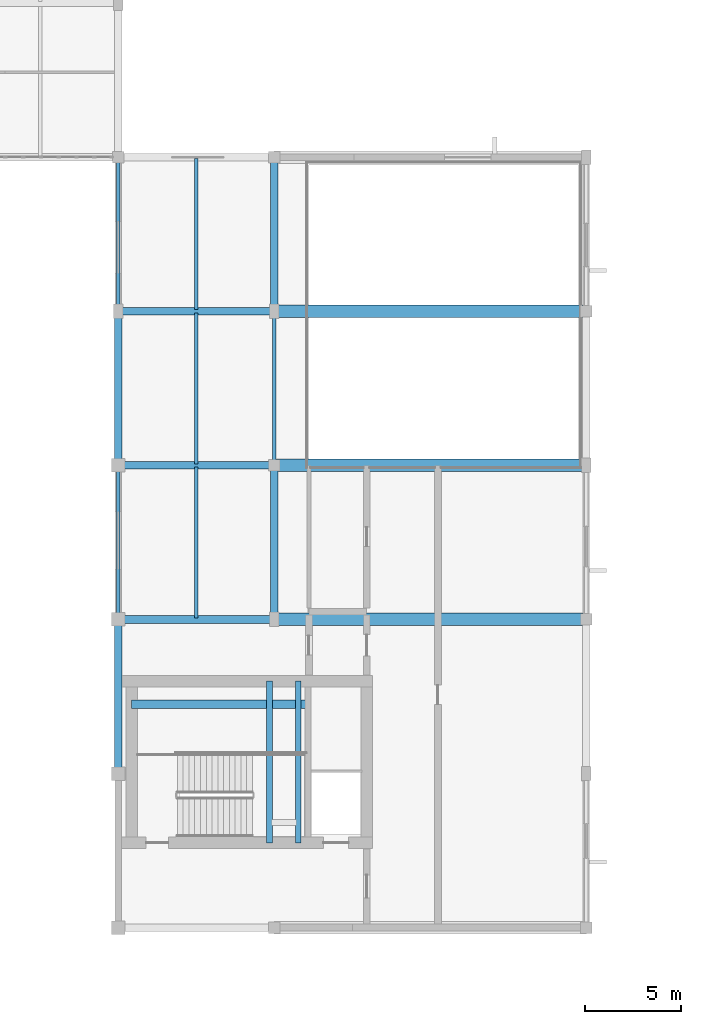
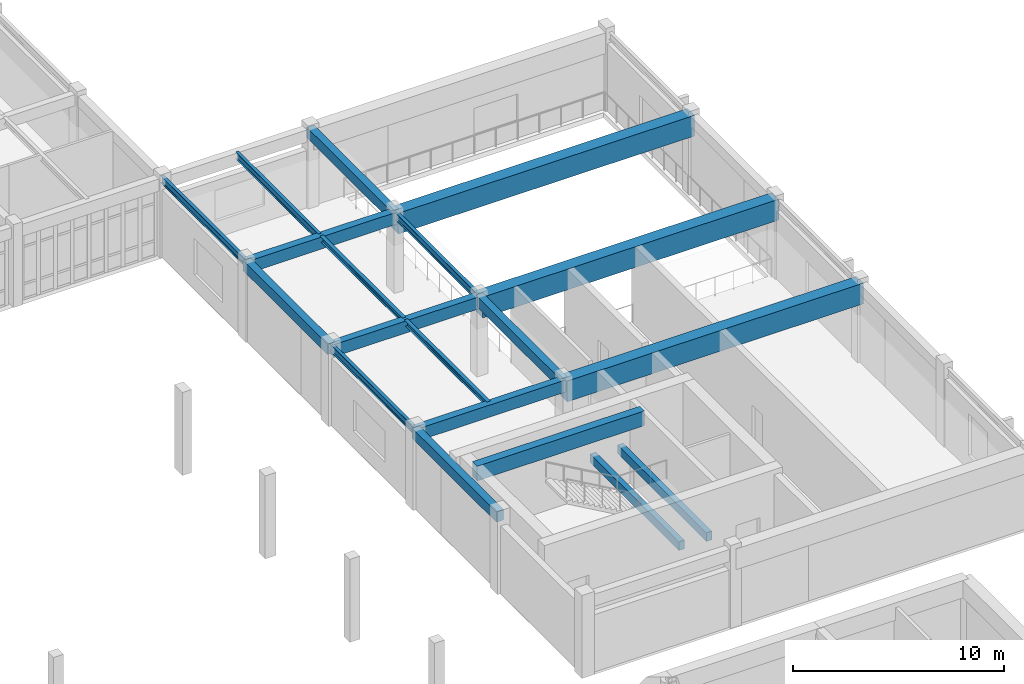
# One storey, part 15 of 61: 19 beams.
"""IFC4 building model written with IfcOpenShell, lengths in metres."""

from ifc_helpers import new_model, si_unit, direction, frame, origin, origin_2d, place, context, subcontext, project, spatial, rectangle, i_section, extrude, material, material_profile, profile_set, type_object, element, save


model = new_model("IFC4")

# Units and contexts
model_context = context("Model", 3, precision=1e-05, world=origin(), true_north=direction((0.0, 1.0)))
body_context = subcontext(model_context, "Body", "Model", "MODEL_VIEW")
ifc_project = project(units=[si_unit("LENGTHUNIT", "METRE"), si_unit("AREAUNIT", "SQUARE_METRE"), si_unit("VOLUMEUNIT", "CUBIC_METRE"), si_unit("PLANEANGLEUNIT", "RADIAN"), si_unit("MASSUNIT", "GRAM", prefix="KILO")], contexts=[model_context])

# Site, building, storey
site_placement = place(None, origin())
site = spatial("IfcSite", under=ifc_project, at=site_placement, CompositionType="ELEMENT")
building_placement = place(site_placement, origin())
building = spatial("IfcBuilding", under=site, at=building_placement, Name="Tarnveldt Square Police Headquarters", CompositionType="ELEMENT")
storey_placement = place(building_placement, frame((0.0, 0.0, 5.39990234375)))
storey = spatial("IfcBuildingStorey", under=building, at=storey_placement, Name="L01", CompositionType="ELEMENT", Elevation=5.39990234375)

# Beams
ifc_material_1 = material(Name="Concrete 50 MPa", Category="concrete")
ifc_material_profile_1 = material_profile(ifc_material_1, rectangle(XDim=0.449951171875, YDim=0.85009765625, at=origin_2d()), Name="RC-CB450x850")
ifc_profile_set_1 = profile_set([ifc_material_profile_1], Name="Concrete 50 MPa")
beam_type_1 = type_object("IfcBeamType", Name="BM-CB450x850", PredefinedType="BEAM", material=ifc_profile_set_1)
beam_1_placement = place(storey_placement, frame((106.0, 67.60009765625, 4.375), z_axis=(1.0, 0.0, 0.0), x_axis=(0.0, 1.0, 0.0)))
element("IfcBeam", 1, at=beam_1_placement, inside=storey, type_object=beam_type_1, Name="Core K4 East Custody and Tactical Core L01 Ductile Coupling Beam", PredefinedType="BEAM", context=body_context, shape_type="SweptSolid", body=[
    extrude(rectangle(XDim=0.449951171875, YDim=0.85009765625, at=origin_2d()), origin(), (0.0, 0.0, 1.0), 9.14990234375),
])
ifc_material_2 = material(Name="Concrete 40 MPa", Category="concrete")
ifc_material_profile_2 = material_profile(ifc_material_2, rectangle(XDim=0.300048828125, YDim=0.5, at=origin_2d()), Name="RC-B300x500")
ifc_profile_set_2 = profile_set([ifc_material_profile_2], Name="Concrete 40 MPa")
beam_type_2 = type_object("IfcBeamType", Name="BM-RC300x500", PredefinedType="BEAM", material=ifc_profile_set_2)
for number, where, z_axis, x_axis, name in (
    (2, (113.14990234375, 60.39990234375, 1.9501953125), (0.0, 1.0, 0.0), (-1.0, 0.0, 0.0), "ST4 L01 Half-Landing Support Beam 1"),
    (3, (114.64990234375, 60.39990234375, 1.9501953125), (0.0, 1.0, 0.0), (-1.0, 0.0, 0.0), "ST4 L01 Half-Landing Transverse Support Beam"),
):
    element("IfcBeam", number, at=place(storey_placement, frame(where, z_axis=z_axis, x_axis=x_axis)), inside=storey, type_object=beam_type_2, Name=name, PredefinedType="BEAM", context=body_context, shape_type="SweptSolid", body=[
        extrude(rectangle(XDim=0.300048828125, YDim=0.5, at=origin_2d()), origin(), (0.0, 0.0, 1.0), 8.400146484375),
    ])
ifc_material_profile_3 = material_profile(ifc_material_2, rectangle(XDim=0.39990234375, YDim=0.60009765625, at=origin_2d()), Name="RC-B400x600")
ifc_profile_set_3 = profile_set([ifc_material_profile_3], Name="Concrete 40 MPa")
beam_type_3 = type_object("IfcBeamType", Name="BM-RC400x600", PredefinedType="BEAM", material=ifc_profile_set_3)
for number, where, z_axis, x_axis, name in (
    (4, (105.300048828125, 64.0, 4.22021484375), (0.0, 1.0, 0.0), (-1.0, 0.0, 0.0), "L02 Grid Girder Y-0639"),
    (5, (105.300048828125, 80.0, 4.22021484375), (0.0, 1.0, 0.0), (-1.0, 0.0, 0.0), "L02 Grid Girder Y-0641"),
    (6, (113.39990234375, 72.0, 4.22021484375), (0.0, 1.0, 0.0), (-1.0, 0.0, 0.0), "L02 Grid Girder Y-0645"),
    (7, (113.39990234375, 88.0, 4.22021484375), (0.0, 1.0, 0.0), (-1.0, 0.0, 0.0), "L02 Grid Girder Y-0647"),
):
    element("IfcBeam", number, at=place(storey_placement, frame(where, z_axis=z_axis, x_axis=x_axis)), inside=storey, type_object=beam_type_3, Name=name, PredefinedType="BEAM", context=body_context, shape_type="SweptSolid", body=[
        extrude(rectangle(XDim=0.39990234375, YDim=0.60009765625, at=origin_2d()), origin(), (0.0, 0.0, 1.0), 8.0),
    ])
ifc_material_profile_4 = material_profile(ifc_material_2, rectangle(XDim=0.39990234375, YDim=0.699951171875, at=origin_2d()), Name="RC-B400x700")
ifc_profile_set_4 = profile_set([ifc_material_profile_4], Name="Concrete 40 MPa")
beam_type_4 = type_object("IfcBeamType", Name="BM-RC400x700", PredefinedType="BEAM", material=ifc_profile_set_4)
for number, where, z_axis, x_axis, name in (
    (8, (105.300048828125, 72.0, 4.170166015625), (1.0, 0.0, 0.0), (0.0, 1.0, 0.0), "L02 Grid Girder X-0522"),
    (9, (105.300048828125, 80.0, 4.170166015625), (1.0, 0.0, 0.0), (0.0, 1.0, 0.0), "L02 Grid Girder X-0527"),
    (10, (105.300048828125, 88.0, 4.170166015625), (1.0, 0.0, 0.0), (0.0, 1.0, 0.0), "L02 Grid Girder X-0533"),
):
    element("IfcBeam", number, at=place(storey_placement, frame(where, z_axis=z_axis, x_axis=x_axis)), inside=storey, type_object=beam_type_4, Name=name, PredefinedType="BEAM", context=body_context, shape_type="SweptSolid", body=[
        extrude(rectangle(XDim=0.39990234375, YDim=0.699951171875, at=origin_2d()), origin(), (0.0, 0.0, 1.0), 8.099853515625),
    ])
ifc_material_profile_5 = material_profile(ifc_material_1, rectangle(XDim=0.64990234375, YDim=1.199951171875, at=origin_2d()), Name="RC-B650x1200")
ifc_profile_set_5 = profile_set([ifc_material_profile_5], Name="Concrete 50 MPa")
beam_type_5 = type_object("IfcBeamType", Name="BM-RC650x1200", PredefinedType="BEAM", material=ifc_profile_set_5)
for number, where, z_axis, x_axis, name in (
    (11, (113.39990234375, 72.0, 3.920166015625), (1.0, 0.0, 0.0), (0.0, 1.0, 0.0), "L02 Grid Girder X-0523"),
    (12, (113.39990234375, 80.0, 3.920166015625), (1.0, 0.0, 0.0), (0.0, 1.0, 0.0), "L02 Grid Girder X-0528"),
    (13, (113.39990234375, 88.0, 3.920166015625), (1.0, 0.0, 0.0), (0.0, 1.0, 0.0), "L02 Grid Girder X-0534"),
):
    element("IfcBeam", number, at=place(storey_placement, frame(where, z_axis=z_axis, x_axis=x_axis)), inside=storey, type_object=beam_type_5, Name=name, PredefinedType="BEAM", context=body_context, shape_type="SweptSolid", body=[
        extrude(rectangle(XDim=0.64990234375, YDim=1.199951171875, at=origin_2d()), origin(), (0.0, 0.0, 1.0), 16.2001953125),
    ])
ifc_material_3 = material(Name="Steel 350W", Category="steel")
ifc_material_profile_6 = material_profile(ifc_material_3, i_section(OverallWidth=0.202880859375, OverallDepth=0.302978515625, WebThickness=0.007568359375, FlangeThickness=0.01318359375, FilletRadius=0.014892578125, at=origin_2d()), Name="W310x60")
ifc_profile_set_6 = profile_set([ifc_material_profile_6], Name="Steel 350W")
beam_type_6 = type_object("IfcBeamType", Name="BM-W310x60", PredefinedType="JOIST", material=ifc_profile_set_6)
for number, where, z_axis, x_axis, name in (
    (14, (109.35009765625, 72.080078125, 4.36865234375), (0.0, 1.0, 0.0), (-1.0, 0.0, 0.0), "L02 Secondary Floor Joist 0124"),
    (15, (109.35009765625, 80.080078125, 4.36865234375), (0.0, 1.0, 0.0), (-1.0, 0.0, 0.0), "L02 Secondary Floor Joist 0128"),
):
    element("IfcBeam", number, at=place(storey_placement, frame(where, z_axis=z_axis, x_axis=x_axis)), inside=storey, type_object=beam_type_6, Name=name, PredefinedType="JOIST", context=body_context, shape_type="SweptSolid", body=[
        extrude(i_section(OverallWidth=0.202880859375, OverallDepth=0.302978515625, WebThickness=0.007568359375, FlangeThickness=0.01318359375, FilletRadius=0.014892578125, at=origin_2d()), origin(), (0.0, 0.0, 1.0), 7.83984375),
    ])
ifc_material_profile_7 = material_profile(ifc_material_3, i_section(OverallWidth=0.177978515625, OverallDepth=0.406982421875, WebThickness=0.0078125, FlangeThickness=0.0126953125, FilletRadius=0.01611328125, at=origin_2d()), Name="W410x60")
ifc_profile_set_7 = profile_set([ifc_material_profile_7], Name="Steel 350W")
beam_type_7 = type_object("IfcBeamType", Name="BM-W410x60", PredefinedType="JOIST", material=ifc_profile_set_7)
beam_2_placement = place(storey_placement, frame((109.35009765625, 88.080078125, 4.316650390625), z_axis=(0.0, 1.0, 0.0), x_axis=(-1.0, 0.0, 0.0)))
element("IfcBeam", 16, at=beam_2_placement, inside=storey, type_object=beam_type_7, Name="L02 Secondary Floor Joist 0133", PredefinedType="JOIST", context=body_context, shape_type="SweptSolid", body=[
    extrude(i_section(OverallWidth=0.177978515625, OverallDepth=0.406982421875, WebThickness=0.0078125, FlangeThickness=0.0126953125, FilletRadius=0.01611328125, at=origin_2d()), origin(), (0.0, 0.0, 1.0), 7.83984375),
])
ifc_material_profile_8 = material_profile(ifc_material_3, i_section(OverallWidth=0.180908203125, OverallDepth=0.4169921875, WebThickness=0.010986328125, FlangeThickness=0.018310546875, FilletRadius=0.01611328125, at=origin_2d()), Name="W410x85")
ifc_profile_set_8 = profile_set([ifc_material_profile_8], Name="Steel 350W")
beam_type_8 = type_object("IfcBeamType", Name="BM-W410x85", PredefinedType="BEAM", material=ifc_profile_set_8)
for number, where, z_axis, x_axis, name in (
    (17, (105.300048828125, 72.0, 4.3115234375), (0.0, 1.0, 0.0), (-1.0, 0.0, 0.0), "L02 Grid Girder Y-0640"),
    (18, (105.300048828125, 88.0, 4.3115234375), (0.0, 1.0, 0.0), (-1.0, 0.0, 0.0), "L02 Grid Girder Y-0642"),
    (19, (113.39990234375, 80.0, 4.3115234375), (0.0, 1.0, 0.0), (-1.0, 0.0, 0.0), "L02 Grid Girder Y-0646"),
):
    element("IfcBeam", number, at=place(storey_placement, frame(where, z_axis=z_axis, x_axis=x_axis)), inside=storey, type_object=beam_type_8, Name=name, PredefinedType="BEAM", context=body_context, shape_type="SweptSolid", body=[
        extrude(i_section(OverallWidth=0.180908203125, OverallDepth=0.4169921875, WebThickness=0.010986328125, FlangeThickness=0.018310546875, FilletRadius=0.01611328125, at=origin_2d()), origin(), (0.0, 0.0, 1.0), 8.0),
    ])

save(model, "model.ifc")
